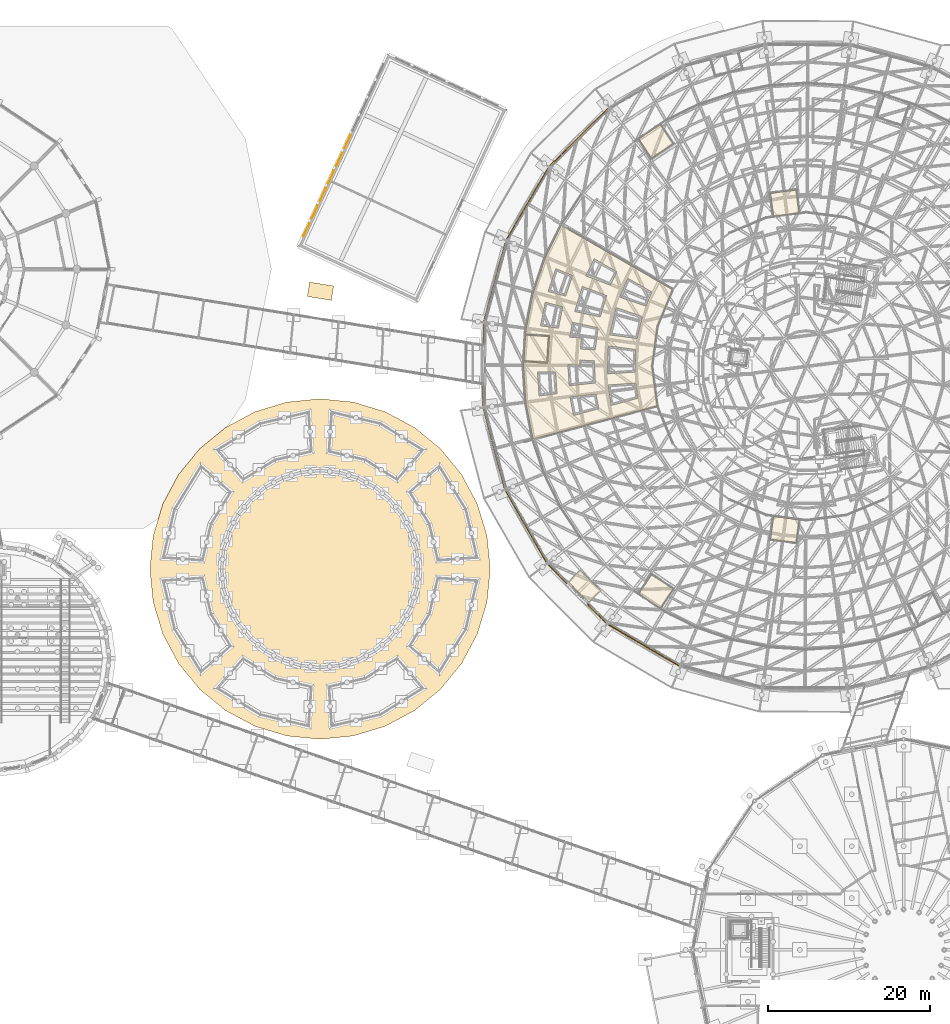
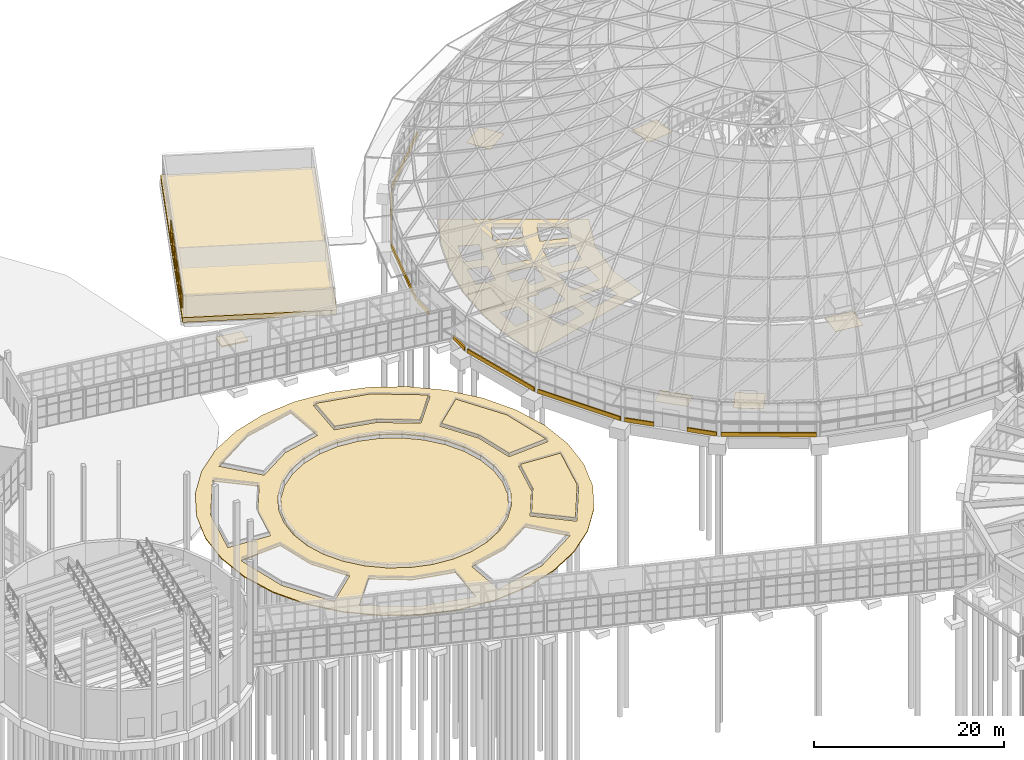
# One storey, part 215 of 226: 24 coverings, 6 shading devices.
"""IFC4 building model written with IfcOpenShell, lengths in metres."""

from ifc_helpers import new_model, si_unit, direction, frame, origin, origin_2d, place, context, subcontext, project, spatial, polyline, rectangle, outline, extrude, material, layer, layer_set, type_object, element, save


model = new_model("IFC4")

# Units and contexts
model_context = context("Model", 3, precision=1e-05, world=origin(), true_north=direction((0.0, 1.0)))
body_context = subcontext(model_context, "Body", "Model", "MODEL_VIEW")
ifc_project = project(units=[si_unit("LENGTHUNIT", "METRE"), si_unit("AREAUNIT", "SQUARE_METRE"), si_unit("VOLUMEUNIT", "CUBIC_METRE"), si_unit("PLANEANGLEUNIT", "RADIAN"), si_unit("MASSUNIT", "GRAM", prefix="KILO")], contexts=[model_context])

# Site, building, storey
site_placement = place(None, origin())
site = spatial("IfcSite", under=ifc_project, at=site_placement, CompositionType="ELEMENT")
building_placement = place(site_placement, origin())
building = spatial("IfcBuilding", under=site, at=building_placement, Name="Ceibo Conservatory and Research Tower", CompositionType="ELEMENT")
storey_placement = place(building_placement, origin())
storey = spatial("IfcBuildingStorey", under=building, at=storey_placement, Name="L00", CompositionType="ELEMENT", Elevation=0.0)

# Coverings
ifc_material_1 = material(Name="Ceramic mosaic")
ifc_layer_1 = layer(ifc_material_1, 0.14990234375)
ifc_layer_set_1 = layer_set([ifc_layer_1], Name="Ceramic mosaic")
covering_type_1 = type_object("IfcCoveringType", Name="Basin lining 150", PredefinedType="FLOORING", material=ifc_layer_set_1)
covering_1_placement = place(storey_placement, frame((0.0, 0.0, -0.449951171875)))
element("IfcCovering", 1, at=covering_1_placement, inside=storey, type_object=covering_type_1, Name="Ceibo Court basin lining", PredefinedType="FLOORING", context=body_context, shape_type="SweptSolid", body=[
    extrude(outline(polyline([(108.0, 83.0), (107.76953125, 85.341064453125), (107.086669921875, 87.59228515625), (105.9775390625, 89.666748046875), (104.4853515625, 91.4853515625), (102.666748046875, 92.9775390625), (100.59228515625, 94.086669921875), (98.341064453125, 94.76953125), (96.0, 95.0), (93.658935546875, 94.76953125), (91.40771484375, 94.086669921875), (89.333251953125, 92.9775390625), (87.5146484375, 91.4853515625), (86.0224609375, 89.666748046875), (84.913330078125, 87.59228515625), (84.23046875, 85.341064453125), (84.0, 83.0), (84.23046875, 80.658935546875), (84.913330078125, 78.40771484375), (86.0224609375, 76.333251953125), (87.5146484375, 74.5146484375), (89.333251953125, 73.0224609375), (91.40771484375, 71.913330078125), (93.658935546875, 71.23046875), (96.0, 71.0), (98.341064453125, 71.23046875), (100.59228515625, 71.913330078125), (102.666748046875, 73.0224609375), (104.4853515625, 74.5146484375), (105.9775390625, 76.333251953125), (107.086669921875, 78.40771484375), (107.76953125, 80.658935546875), (108.0, 83.0)])), origin(), (0.0, 0.0, 1.0), 0.14990234375),
])
ifc_material_2 = material(Name="Aluminium ceiling panel", Category="aluminium")
ifc_layer_2 = layer(ifc_material_2, 0.050048828125)
ifc_layer_set_2 = layer_set([ifc_layer_2], Name="Aluminium ceiling panel")
covering_type_2 = type_object("IfcCoveringType", Name="Ceiling panel 50", PredefinedType="CEILING", material=ifc_layer_set_2)
covering_2_placement = place(storey_placement, frame((0.0, 0.0, 2.949951171875)))
element("IfcCovering", 2, at=covering_2_placement, inside=storey, type_object=covering_type_2, Name="Vestibule ceiling A-VC15", PredefinedType="CEILING", context=body_context, shape_type="SweptSolid", body=[
    extrude(outline(polyline([(126.6572265625, 81.44677734375), (129.191650390625, 78.889892578125), (130.6474609375, 80.333251953125), (128.113037109375, 82.889892578125), (126.6572265625, 81.44677734375)])), origin(), (0.0, 0.0, 1.0), 0.050048828125),
])
ifc_material_3 = material(Name="Concrete C35/45", Category="concrete")
ifc_layer_3 = layer(ifc_material_3, 0.14990234375)
ifc_layer_set_3 = layer_set([ifc_layer_3], Name="Concrete C35/45")
covering_type_3 = type_object("IfcCoveringType", Name="Concrete annex kerb 150", PredefinedType="CLADDING", material=ifc_layer_set_3)
covering_3_placement = place(storey_placement, frame((0.0, 0.0, -0.25)))
element("IfcCovering", 3, at=covering_3_placement, inside=storey, type_object=covering_type_3, Name="Plant annex kerb A-AK01", PredefinedType="CLADDING", context=body_context, shape_type="SweptSolid", body=[
    extrude(outline(polyline([(113.835205078125, 128.43408203125), (113.699462890625, 128.49755859375), (113.107666015625, 127.228515625), (113.24365234375, 127.165283203125), (107.982177734375, 115.881591796875), (93.209228515625, 122.7705078125), (104.32421875, 146.606201171875), (119.096923828125, 139.717529296875), (113.835205078125, 128.43408203125)])), origin(), (0.0, 0.0, 1.0), 0.60009765625),
])
ifc_layer_4 = layer(ifc_material_3, 0.14990234375)
ifc_layer_set_4 = layer_set([ifc_layer_4], Name="Concrete C35/45")
covering_type_4 = type_object("IfcCoveringType", Name="Concrete plinth facing 150", PredefinedType="CLADDING", material=ifc_layer_set_4)
covering_4_placement = place(storey_placement, origin())
element("IfcCovering", 4, at=covering_4_placement, inside=storey, type_object=covering_type_4, Name="Drum plinth facing A-PL11", PredefinedType="CLADDING", context=body_context, shape_type="SweptSolid", body=[
    extrude(outline(polyline([(131.587646484375, 139.75390625), (124.46044921875, 132.688720703125), (124.354736328125, 132.795166015625), (131.48193359375, 139.8603515625), (131.587646484375, 139.75390625)])), origin(), (0.0, 0.0, 1.0), 0.5),
])
covering_5_placement = place(storey_placement, origin())
element("IfcCovering", 5, at=covering_5_placement, inside=storey, type_object=covering_type_4, Name="Drum plinth facing A-PL12", PredefinedType="CLADDING", context=body_context, shape_type="SweptSolid", body=[
    extrude(outline(polyline([(124.200927734375, 132.353515625), (119.145263671875, 123.684326171875), (119.015625, 123.759765625), (124.0712890625, 132.428955078125), (124.200927734375, 132.353515625)])), origin(), (0.0, 0.0, 1.0), 0.5),
])
covering_6_placement = place(storey_placement, origin())
element("IfcCovering", 6, at=covering_6_placement, inside=storey, type_object=covering_type_4, Name="Drum plinth facing A-PL13", PredefinedType="CLADDING", context=body_context, shape_type="SweptSolid", body=[
    extrude(outline(polyline([(118.981201171875, 123.29345703125), (116.341552734375, 113.611083984375), (116.197021484375, 113.650634765625), (118.836669921875, 123.3330078125), (118.981201171875, 123.29345703125)])), origin(), (0.0, 0.0, 1.0), 0.5),
])
covering_7_placement = place(storey_placement, origin())
element("IfcCovering", 7, at=covering_7_placement, inside=storey, type_object=covering_type_4, Name="Drum plinth facing A-PL14", PredefinedType="CLADDING", context=body_context, shape_type="SweptSolid", body=[
    extrude(outline(polyline([(116.284423828125, 113.191162109375), (116.274169921875, 110.802490234375), (116.1240234375, 110.802978515625), (116.134521484375, 113.19189453125), (116.284423828125, 113.191162109375)])), origin(), (0.0, 0.0, 1.0), 0.5),
])
covering_8_placement = place(storey_placement, origin())
element("IfcCovering", 8, at=covering_8_placement, inside=storey, type_object=covering_type_4, Name="Drum plinth facing A-PL15", PredefinedType="CLADDING", context=body_context, shape_type="SweptSolid", body=[
    extrude(outline(polyline([(116.251220703125, 105.54443359375), (116.24072265625, 103.155517578125), (116.0908203125, 103.15625), (116.10107421875, 105.545166015625), (116.251220703125, 105.54443359375)])), origin(), (0.0, 0.0, 1.0), 0.5),
])
covering_9_placement = place(storey_placement, origin())
element("IfcCovering", 9, at=covering_9_placement, inside=storey, type_object=covering_type_4, Name="Drum plinth facing A-PL16", PredefinedType="CLADDING", context=body_context, shape_type="SweptSolid", body=[
    extrude(outline(polyline([(116.294189453125, 102.735107421875), (118.849365234375, 93.0302734375), (118.7041015625, 92.991943359375), (116.149169921875, 102.697021484375), (116.294189453125, 102.735107421875)])), origin(), (0.0, 0.0, 1.0), 0.5),
])
covering_10_placement = place(storey_placement, origin())
element("IfcCovering", 10, at=covering_10_placement, inside=storey, type_object=covering_type_4, Name="Drum plinth facing A-PL17", PredefinedType="CLADDING", context=body_context, shape_type="SweptSolid", body=[
    extrude(outline(polyline([(119.009765625, 92.637939453125), (123.989501953125, 83.925048828125), (123.859375, 83.8505859375), (118.87939453125, 92.5634765625), (119.009765625, 92.637939453125)])), origin(), (0.0, 0.0, 1.0), 0.5),
])
covering_11_placement = place(storey_placement, origin())
element("IfcCovering", 11, at=covering_11_placement, inside=storey, type_object=covering_type_4, Name="Drum plinth facing A-PL18", PredefinedType="CLADDING", context=body_context, shape_type="SweptSolid", body=[
    extrude(outline(polyline([(124.24609375, 83.587646484375), (126.51171875, 81.30224609375), (126.405029296875, 81.19677734375), (124.1396484375, 83.48193359375), (124.24609375, 83.587646484375)])), origin(), (0.0, 0.0, 1.0), 0.5),
])
covering_12_placement = place(storey_placement, origin())
element("IfcCovering", 12, at=covering_12_placement, inside=storey, type_object=covering_type_4, Name="Drum plinth facing A-PL19", PredefinedType="CLADDING", context=body_context, shape_type="SweptSolid", body=[
    extrude(outline(polyline([(129.0458984375, 78.74560546875), (131.311279296875, 76.46044921875), (131.204833984375, 76.354736328125), (128.939453125, 78.64013671875), (129.0458984375, 78.74560546875)])), origin(), (0.0, 0.0, 1.0), 0.5),
])
covering_13_placement = place(storey_placement, origin())
element("IfcCovering", 13, at=covering_13_placement, inside=storey, type_object=covering_type_4, Name="Drum plinth facing A-PL20", PredefinedType="CLADDING", context=body_context, shape_type="SweptSolid", body=[
    extrude(outline(polyline([(131.646484375, 76.200927734375), (140.315673828125, 71.145263671875), (140.240234375, 71.015625), (131.571044921875, 76.0712890625), (131.646484375, 76.200927734375)])), origin(), (0.0, 0.0, 1.0), 0.5),
])
ifc_material_4 = material(Name="Granite paving", Category="masonry")
ifc_layer_5 = layer(ifc_material_4, 0.1201171875)
ifc_layer_set_5 = layer_set([ifc_layer_5], Name="Granite paving")
covering_type_5 = type_object("IfcCoveringType", Name="Court paving 120", PredefinedType="USERDEFINED", material=ifc_layer_set_5)
covering_14_placement = place(storey_placement, frame((0.0, 0.0, -0.1201171875)))
element("IfcCovering", 14, at=covering_14_placement, inside=storey, type_object=covering_type_5, Name="Ceibo Court paving", ObjectType="PAVING", PredefinedType="USERDEFINED", context=body_context, shape_type="SweptSolid", body=[
    extrude(outline(polyline([(117.0, 83.0), (116.596435546875, 87.096923828125), (115.4013671875, 91.036376953125), (113.4609375, 94.6669921875), (110.84912109375, 97.84912109375), (107.6669921875, 100.4609375), (104.036376953125, 102.4013671875), (100.096923828125, 103.596435546875), (96.0, 104.0), (91.903076171875, 103.596435546875), (87.963623046875, 102.4013671875), (84.3330078125, 100.4609375), (81.15087890625, 97.84912109375), (78.5390625, 94.6669921875), (76.5986328125, 91.036376953125), (75.403564453125, 87.096923828125), (75.0, 83.0), (75.403564453125, 78.903076171875), (76.5986328125, 74.963623046875), (78.5390625, 71.3330078125), (81.15087890625, 68.15087890625), (84.3330078125, 65.5390625), (87.963623046875, 63.5986328125), (91.903076171875, 62.403564453125), (96.0, 62.0), (100.096923828125, 62.403564453125), (104.036376953125, 63.5986328125), (107.6669921875, 65.5390625), (110.84912109375, 68.15087890625), (113.4609375, 71.3330078125), (115.4013671875, 74.963623046875), (116.596435546875, 78.903076171875), (117.0, 83.0)]), holes=[polyline([(108.300048828125, 83.0), (108.063720703125, 85.399658203125), (107.36376953125, 87.70703125), (106.22705078125, 89.83349609375), (104.697509765625, 91.697509765625), (102.83349609375, 93.22705078125), (100.70703125, 94.36376953125), (98.399658203125, 95.063720703125), (96.0, 95.300048828125), (93.600341796875, 95.063720703125), (91.29296875, 94.36376953125), (89.16650390625, 93.22705078125), (87.302490234375, 91.697509765625), (85.77294921875, 89.83349609375), (84.63623046875, 87.70703125), (83.936279296875, 85.399658203125), (83.699951171875, 83.0), (83.936279296875, 80.600341796875), (84.63623046875, 78.29296875), (85.77294921875, 76.16650390625), (87.302490234375, 74.302490234375), (89.16650390625, 72.77294921875), (91.29296875, 71.63623046875), (93.600341796875, 70.936279296875), (96.0, 70.699951171875), (98.399658203125, 70.936279296875), (100.70703125, 71.63623046875), (102.83349609375, 72.77294921875), (104.697509765625, 74.302490234375), (106.22705078125, 76.16650390625), (107.36376953125, 78.29296875), (108.063720703125, 80.600341796875), (108.300048828125, 83.0)]), polyline([(110.464599609375, 84.011474609375), (115.452392578125, 84.3603515625), (114.015625, 90.46240234375), (110.716796875, 95.793212890625), (106.943359375, 92.512939453125), (109.396240234375, 88.548828125), (110.464599609375, 84.011474609375)]), polyline([(105.512939453125, 93.943359375), (108.793212890625, 97.716796875), (103.46240234375, 101.015625), (97.3603515625, 102.452392578125), (97.011474609375, 97.464599609375), (101.548828125, 96.396240234375), (105.512939453125, 93.943359375)]), polyline([(94.988525390625, 97.464599609375), (94.6396484375, 102.452392578125), (88.53759765625, 101.015625), (83.206787109375, 97.716796875), (86.487060546875, 93.943359375), (90.451171875, 96.396240234375), (94.988525390625, 97.464599609375)]), polyline([(85.056640625, 92.512939453125), (81.283203125, 95.793212890625), (77.984375, 90.46240234375), (76.547607421875, 84.3603515625), (81.535400390625, 84.011474609375), (82.603759765625, 88.548828125), (85.056640625, 92.512939453125)]), polyline([(81.535400390625, 81.988525390625), (76.547607421875, 81.6396484375), (77.984375, 75.53759765625), (81.283203125, 70.206787109375), (85.056640625, 73.487060546875), (82.603759765625, 77.451171875), (81.535400390625, 81.988525390625)]), polyline([(86.487060546875, 72.056640625), (83.206787109375, 68.283203125), (88.53759765625, 64.984375), (94.6396484375, 63.547607421875), (94.988525390625, 68.535400390625), (90.451171875, 69.603759765625), (86.487060546875, 72.056640625)]), polyline([(97.011474609375, 68.535400390625), (97.3603515625, 63.547607421875), (103.46240234375, 64.984375), (108.793212890625, 68.283203125), (105.512939453125, 72.056640625), (101.548828125, 69.603759765625), (97.011474609375, 68.535400390625)]), polyline([(106.943359375, 73.487060546875), (110.716796875, 70.206787109375), (114.015625, 75.53759765625), (115.452392578125, 81.6396484375), (110.464599609375, 81.988525390625), (109.396240234375, 77.451171875), (106.943359375, 73.487060546875)])]), origin(), (0.0, 0.0, 1.0), 0.1201171875),
])
ifc_layer_6 = layer(ifc_material_4, 0.14990234375)
ifc_layer_set_6 = layer_set([ifc_layer_6], Name="Granite paving")
covering_type_6 = type_object("IfcCoveringType", Name="Gallery exit paving 150", PredefinedType="USERDEFINED", material=ifc_layer_set_6)
covering_15_placement = place(storey_placement, frame((0.0, 0.0, -0.14990234375)))
element("IfcCovering", 15, at=covering_15_placement, inside=storey, type_object=covering_type_6, Name="Gallery exit paving A-RT", ObjectType="PAVING", PredefinedType="USERDEFINED", context=body_context, shape_type="SweptSolid", body=[
    extrude(outline(polyline([(97.38623046875, 116.146484375), (94.424560546875, 116.62451171875), (94.71142578125, 118.401611328125), (97.673095703125, 117.92333984375), (97.38623046875, 116.146484375)])), origin(), (0.0, 0.0, 1.0), 0.14990234375),
])
ifc_layer_7 = layer(ifc_material_4, 0.02001953125)
ifc_layer_set_7 = layer_set([ifc_layer_7], Name="Granite paving")
covering_type_7 = type_object("IfcCoveringType", Name="Paving 20", PredefinedType="FLOORING", material=ifc_layer_set_7)
covering_16_placement = place(storey_placement, origin())
element("IfcCovering", 16, at=covering_16_placement, inside=storey, type_object=covering_type_7, Name="Path paving A-PV05", PredefinedType="FLOORING", context=body_context, shape_type="SweptSolid", body=[
    extrude(outline(polyline([(121.360107421875, 111.97412109375), (124.2099609375, 111.7880859375), (124.303955078125, 111.780029296875), (124.08203125, 108.387939453125), (123.98193359375, 108.39404296875), (121.137939453125, 108.58203125), (121.10009765625, 108.0), (121.39794921875, 103.444091796875), (122.280029296875, 99.01611328125), (123.14599609375, 99.248046875), (127.010009765625, 100.283935546875), (131.837890625, 101.577880859375), (137.592041015625, 103.1201171875), (136.949951171875, 107.993896484375), (137.0, 108.0), (136.949951171875, 108.006103515625), (137.597900390625, 112.924072265625), (137.64794921875, 112.91796875), (137.60205078125, 112.93603515625), (139.48193359375, 117.47802734375), (134.323974609375, 120.4560546875), (129.993896484375, 122.9560546875), (126.530029296875, 124.9560546875), (125.75390625, 125.404052734375), (123.756103515625, 121.35595703125), (122.2900390625, 117.031982421875), (121.39794921875, 112.555908203125), (121.360107421875, 111.97412109375)]), holes=[polyline([(136.931884765625, 117.162109375), (136.194091796875, 115.4619140625), (132.97998046875, 116.553955078125), (133.986083984375, 118.862060546875), (136.931884765625, 117.162109375)]), polyline([(132.530029296875, 115.22802734375), (135.743896484375, 114.137939453125), (135.117919921875, 111.4560546875), (131.748046875, 111.89794921875), (132.530029296875, 115.22802734375)]), polyline([(134.93603515625, 105.91796875), (135.2099609375, 104.0859375), (131.926025390625, 103.2060546875), (131.552001953125, 105.696044921875), (134.93603515625, 105.91796875)]), polyline([(131.56396484375, 110.510009765625), (134.93603515625, 110.068115234375), (134.843994140625, 107.31396484375), (131.4599609375, 107.093994140625), (131.56396484375, 110.510009765625)]), polyline([(131.800048828125, 118.0400390625), (128.80810546875, 119.18798828125), (129.830078125, 121.261962890625), (132.60009765625, 119.662109375), (131.800048828125, 118.0400390625)]), polyline([(131.347900390625, 116.714111328125), (130.56201171875, 114.1220703125), (127.43798828125, 114.785888671875), (128.365966796875, 117.85791015625), (131.347900390625, 116.714111328125)]), polyline([(126.837890625, 104.23193359375), (130.02587890625, 104.56591796875), (130.3798828125, 102.7919921875), (127.2880859375, 101.964111328125), (126.837890625, 104.23193359375)]), polyline([(129.93603515625, 110.06591796875), (128.156005859375, 110.159912109375), (128.24609375, 111.52197265625), (126.80810546875, 111.615966796875), (127.1640625, 113.4140625), (130.2880859375, 112.75), (129.93603515625, 110.06591796875)]), polyline([(129.843994140625, 108.669921875), (129.93408203125, 105.964111328125), (126.756103515625, 105.6298828125), (126.5859375, 108.22412109375), (128.02392578125, 108.1298828125), (128.06396484375, 108.763916015625), (129.843994140625, 108.669921875)]), polyline([(126.281982421875, 116.68798828125), (124.156005859375, 117.258056640625), (125.10205078125, 120.0400390625), (127.134033203125, 119.197998046875), (126.281982421875, 116.68798828125)]), polyline([(125.402099609375, 112.73388671875), (123.219970703125, 113.02197265625), (123.7939453125, 115.904052734375), (125.919921875, 115.3359375), (125.402099609375, 112.73388671875)]), polyline([(125.219970703125, 104.654052734375), (123.0380859375, 104.365966796875), (122.845947265625, 107.300048828125), (125.0458984375, 107.300048828125), (125.219970703125, 104.654052734375)])]), origin(), (0.0, 0.0, 1.0), 0.02001953125),
])
covering_17_placement = place(storey_placement, origin())
element("IfcCovering", 17, at=covering_17_placement, inside=storey, type_object=covering_type_7, Name="Path paving A-PV07", PredefinedType="FLOORING", context=body_context, shape_type="SweptSolid", body=[
    extrude(outline(polyline([(154.75, 129.760009765625), (151.575927734375, 129.342041015625), (151.946044921875, 126.535888671875), (151.947998046875, 126.51611328125), (155.1220703125, 126.93408203125), (154.75, 129.760009765625)])), origin(), (0.0, 0.0, 1.0), 0.02001953125),
])
covering_18_placement = place(storey_placement, origin())
element("IfcCovering", 18, at=covering_18_placement, inside=storey, type_object=covering_type_7, Name="Path paving A-PV08", PredefinedType="FLOORING", context=body_context, shape_type="SweptSolid", body=[
    extrude(outline(polyline([(151.946044921875, 89.464111328125), (151.575927734375, 86.657958984375), (154.75, 86.239990234375), (155.1220703125, 89.06591796875), (151.947998046875, 89.48388671875), (151.946044921875, 89.464111328125)])), origin(), (0.0, 0.0, 1.0), 0.02001953125),
])
covering_19_placement = place(storey_placement, origin())
element("IfcCovering", 19, at=covering_19_placement, inside=storey, type_object=covering_type_7, Name="Path paving A-PV09", PredefinedType="FLOORING", context=body_context, shape_type="SweptSolid", body=[
    extrude(outline(polyline([(121.35400390625, 111.8740234375), (121.14404296875, 108.681884765625), (121.1640625, 108.679931640625), (123.988037109375, 108.493896484375), (124.197998046875, 111.68798828125), (121.3740234375, 111.8720703125), (121.35400390625, 111.8740234375)])), origin(), (0.0, 0.0, 1.0), 0.02001953125),
])
covering_20_placement = place(storey_placement, origin())
element("IfcCovering", 20, at=covering_20_placement, inside=storey, type_object=covering_type_7, Name="Path paving A-PV10", PredefinedType="FLOORING", context=body_context, shape_type="SweptSolid", body=[
    extrude(outline(polyline([(135.333984375, 136.050048828125), (136.906005859375, 133.697998046875), (139.56591796875, 135.47607421875), (137.98193359375, 137.843994140625), (135.322021484375, 136.068115234375), (135.333984375, 136.050048828125)])), origin(), (0.0, 0.0, 1.0), 0.02001953125),
])
covering_21_placement = place(storey_placement, origin())
element("IfcCovering", 21, at=covering_21_placement, inside=storey, type_object=covering_type_7, Name="Path paving A-PV11", PredefinedType="FLOORING", context=body_context, shape_type="SweptSolid", body=[
    extrude(outline(polyline([(139.56591796875, 80.52392578125), (136.906005859375, 82.302001953125), (135.333984375, 79.949951171875), (135.322021484375, 79.931884765625), (137.98193359375, 78.156005859375), (139.56591796875, 80.52392578125)])), origin(), (0.0, 0.0, 1.0), 0.02001953125),
])

# Shading devices
ifc_material_5 = material(Name="Aluminium louvre", Category="aluminium")
ifc_layer_8 = layer(ifc_material_5, 0.06005859375)
ifc_layer_set_8 = layer_set([ifc_layer_8], Name="Aluminium louvre")
shading_device_type = type_object("IfcShadingDeviceType", Name="Plant louvre panel 60", PredefinedType="JALOUSIE", material=ifc_layer_set_8)
for number, where, z_axis, x_axis, name in (
    (22, (99.382568359375, 135.72509765625, 0.599853515625), (0.0, 0.0, 1.0), (-0.422618274712, -0.906307780988, 0.0), "Plant louvre panel A-LV1.5"),
    (23, (98.3681640625, 133.550048828125, 0.599853515625), (0.0, 0.0, 1.0), (-0.422618274712, -0.906307780988, 0.0), "Plant louvre panel A-LV1.6"),
    (24, (97.35400390625, 131.375, 0.599853515625), (0.0, 0.0, 1.0), (-0.422618274712, -0.906307780988, 0.0), "Plant louvre panel A-LV1.7"),
    (25, (96.339599609375, 129.19970703125, 0.599853515625), (0.0, 0.0, 1.0), (-0.422618274712, -0.906307780988, 0.0), "Plant louvre panel A-LV1.8"),
    (26, (95.325439453125, 127.024658203125, 0.599853515625), (0.0, 0.0, 1.0), (-0.422618274712, -0.906307780988, 0.0), "Plant louvre panel A-LV1.9"),
    (27, (94.31103515625, 124.849609375, 0.599853515625), (0.0, 0.0, 1.0), (-0.422618274712, -0.906307780988, 0.0), "Plant louvre panel A-LV1.10"),
):
    element("IfcShadingDevice", number, at=place(storey_placement, frame(where, z_axis=z_axis, x_axis=x_axis)), inside=storey, type_object=shading_device_type, Name=name, PredefinedType="JALOUSIE", context=body_context, shape_type="SweptSolid", body=[
        extrude(rectangle(XDim=1.800048828125, YDim=0.06005859375, at=origin_2d()), origin(), (0.0, 0.0, 1.0), 1.60009765625),
    ])

# Coverings
ifc_material_6 = material(Name="Planting soil")
ifc_layer_9 = layer(ifc_material_6, 0.300048828125)
ifc_layer_set_9 = layer_set([ifc_layer_9], Name="Planting soil")
covering_type_8 = type_object("IfcCoveringType", Name="Planting bed soil 300", PredefinedType="FLOORING", material=ifc_layer_set_9)
covering_22_placement = place(storey_placement, origin())
element("IfcCovering", 28, at=covering_22_placement, inside=storey, type_object=covering_type_8, Name="Ceibo Court planting bed PB1", PredefinedType="FLOORING", context=body_context, shape_type="SweptSolid", body=[
    extrude(outline(polyline([(110.58154296875, 84.169921875), (115.26611328125, 84.49755859375), (113.875244140625, 90.404052734375), (110.68212890625, 95.564208984375), (107.137939453125, 92.4833984375), (109.53662109375, 88.607177734375), (110.58154296875, 84.169921875)])), origin(), (0.0, 0.0, 1.0), 0.300048828125),
])
covering_23_placement = place(storey_placement, origin())
element("IfcCovering", 29, at=covering_23_placement, inside=storey, type_object=covering_type_8, Name="Ceibo Court planting bed PB2", PredefinedType="FLOORING", context=body_context, shape_type="SweptSolid", body=[
    extrude(outline(polyline([(105.4833984375, 94.137939453125), (108.564208984375, 97.68212890625), (103.404052734375, 100.875244140625), (97.49755859375, 102.26611328125), (97.169921875, 97.58154296875), (101.607177734375, 96.53662109375), (105.4833984375, 94.137939453125)])), origin(), (0.0, 0.0, 1.0), 0.300048828125),
])
covering_24_placement = place(storey_placement, origin())
element("IfcCovering", 30, at=covering_24_placement, inside=storey, type_object=covering_type_8, Name="Ceibo Court planting bed PB8", PredefinedType="FLOORING", context=body_context, shape_type="SweptSolid", body=[
    extrude(outline(polyline([(107.137939453125, 73.5166015625), (110.68212890625, 70.435791015625), (113.875244140625, 75.595947265625), (115.26611328125, 81.50244140625), (110.58154296875, 81.830078125), (109.53662109375, 77.392822265625), (107.137939453125, 73.5166015625)])), origin(), (0.0, 0.0, 1.0), 0.300048828125),
])

save(model, "model.ifc")
